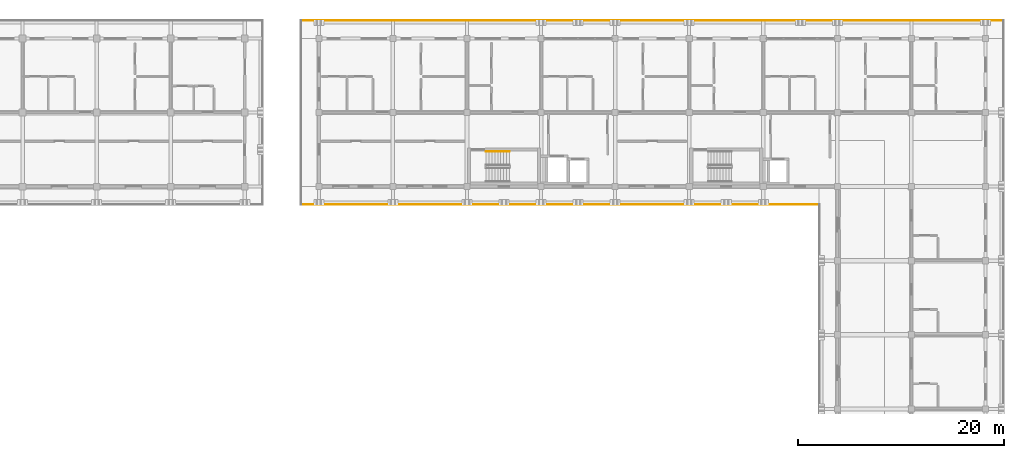
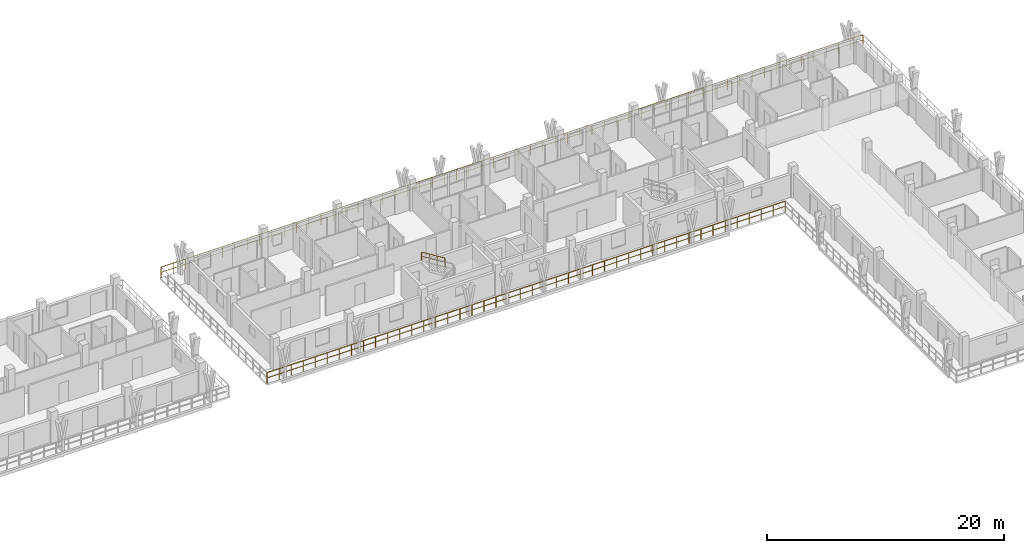
# One storey, part 75 of 76: 3 railings.
"""IFC4 building model written with IfcOpenShell, lengths in metres."""

from ifc_helpers import new_model, si_unit, direction, frame, origin, origin_2d, place, context, subcontext, project, spatial, rectangle, extrude, material, type_object, element, save


model = new_model("IFC4")

# Units and contexts
model_context = context("Model", 3, precision=1e-05, world=origin(), true_north=direction((0.0, 1.0)))
body_context = subcontext(model_context, "Body", "Model", "MODEL_VIEW")
ifc_project = project(units=[si_unit("LENGTHUNIT", "METRE"), si_unit("AREAUNIT", "SQUARE_METRE"), si_unit("VOLUMEUNIT", "CUBIC_METRE"), si_unit("PLANEANGLEUNIT", "RADIAN"), si_unit("MASSUNIT", "GRAM", prefix="KILO")], contexts=[model_context])

# Site, building, storey
site_placement = place(None, origin())
site = spatial("IfcSite", under=ifc_project, at=site_placement, CompositionType="ELEMENT")
building_placement = place(site_placement, origin())
building = spatial("IfcBuilding", under=site, at=building_placement, Name="Suanplinth Sawtooth Commons", CompositionType="ELEMENT")
storey_placement = place(building_placement, frame((0.0, 0.0, 12.199951171875)))
storey = spatial("IfcBuildingStorey", under=building, at=storey_placement, Name="L03", CompositionType="ELEMENT", Elevation=12.199951171875)

# Railings
ifc_material_1 = material(Name="Powder-coated galvanized steel", Category="steel")
railing_type_1 = type_object("IfcRailingType", Name="GR-01", PredefinedType="BALUSTRADE", material=ifc_material_1)
railing_1_placement = place(storey_placement, frame((171.06005859375, 106.260009765625, 0.0)))
element("IfcRailing", 1, at=railing_1_placement, inside=storey, type_object=railing_type_1, Name="L03 Block B Perimeter Balustrade 2", PredefinedType="BALUSTRADE", context=body_context, shape_type="SweptSolid", body=[
    extrude(rectangle(XDim=0.048095703125, YDim=0.048095703125, at=origin_2d()), frame((0.0, 0.0, 1.09619140625), z_axis=(-1.0, 0.0, 0.0), x_axis=(0.0, -1.0, 0.0)), (0.0, 0.0, 1.0), 50.400146484375),
    extrude(rectangle(XDim=0.03369140625, YDim=0.03369140625, at=origin_2d()), frame((0.0, 0.0, 0.56005859375), z_axis=(-1.0, 0.0, 0.0), x_axis=(0.0, -1.0, 0.0)), (0.0, 0.0, 1.0), 50.400146484375),
    extrude(rectangle(XDim=0.0419921875, YDim=0.0419921875, at=origin_2d()), origin(), (0.0, 0.0, 1.0), 1.072021484375),
    extrude(rectangle(XDim=0.0419921875, YDim=0.0419921875, at=origin_2d()), frame((-1.172119140625, 0.0, 0.0)), (0.0, 0.0, 1.0), 1.072021484375),
    extrude(rectangle(XDim=0.0419921875, YDim=0.0419921875, at=origin_2d()), frame((-2.34423828125, 0.0, 0.0)), (0.0, 0.0, 1.0), 1.072021484375),
    extrude(rectangle(XDim=0.0419921875, YDim=0.0419921875, at=origin_2d()), frame((-3.516357421875, 0.0, 0.0)), (0.0, 0.0, 1.0), 1.072021484375),
    extrude(rectangle(XDim=0.0419921875, YDim=0.0419921875, at=origin_2d()), frame((-4.6884765625, 0.0, 0.0)), (0.0, 0.0, 1.0), 1.072021484375),
    extrude(rectangle(XDim=0.0419921875, YDim=0.0419921875, at=origin_2d()), frame((-5.860595703125, 0.0, 0.0)), (0.0, 0.0, 1.0), 1.072021484375),
    extrude(rectangle(XDim=0.0419921875, YDim=0.0419921875, at=origin_2d()), frame((-7.032470703125, 0.0, 0.0)), (0.0, 0.0, 1.0), 1.072021484375),
    extrude(rectangle(XDim=0.0419921875, YDim=0.0419921875, at=origin_2d()), frame((-8.20458984375, 0.0, 0.0)), (0.0, 0.0, 1.0), 1.072021484375),
    extrude(rectangle(XDim=0.0419921875, YDim=0.0419921875, at=origin_2d()), frame((-9.376708984375, 0.0, 0.0)), (0.0, 0.0, 1.0), 1.072021484375),
    extrude(rectangle(XDim=0.0419921875, YDim=0.0419921875, at=origin_2d()), frame((-10.548828125, 0.0, 0.0)), (0.0, 0.0, 1.0), 1.072021484375),
    extrude(rectangle(XDim=0.0419921875, YDim=0.0419921875, at=origin_2d()), frame((-11.720947265625, 0.0, 0.0)), (0.0, 0.0, 1.0), 1.072021484375),
    extrude(rectangle(XDim=0.0419921875, YDim=0.0419921875, at=origin_2d()), frame((-12.89306640625, 0.0, 0.0)), (0.0, 0.0, 1.0), 1.072021484375),
    extrude(rectangle(XDim=0.0419921875, YDim=0.0419921875, at=origin_2d()), frame((-14.065185546875, 0.0, 0.0)), (0.0, 0.0, 1.0), 1.072021484375),
    extrude(rectangle(XDim=0.0419921875, YDim=0.0419921875, at=origin_2d()), frame((-15.2373046875, 0.0, 0.0)), (0.0, 0.0, 1.0), 1.072021484375),
    extrude(rectangle(XDim=0.0419921875, YDim=0.0419921875, at=origin_2d()), frame((-16.409423828125, 0.0, 0.0)), (0.0, 0.0, 1.0), 1.072021484375),
    extrude(rectangle(XDim=0.0419921875, YDim=0.0419921875, at=origin_2d()), frame((-17.58154296875, 0.0, 0.0)), (0.0, 0.0, 1.0), 1.072021484375),
    extrude(rectangle(XDim=0.0419921875, YDim=0.0419921875, at=origin_2d()), frame((-18.753662109375, 0.0, 0.0)), (0.0, 0.0, 1.0), 1.072021484375),
    extrude(rectangle(XDim=0.0419921875, YDim=0.0419921875, at=origin_2d()), frame((-19.925537109375, 0.0, 0.0)), (0.0, 0.0, 1.0), 1.072021484375),
    extrude(rectangle(XDim=0.0419921875, YDim=0.0419921875, at=origin_2d()), frame((-21.09765625, 0.0, 0.0)), (0.0, 0.0, 1.0), 1.072021484375),
    extrude(rectangle(XDim=0.0419921875, YDim=0.0419921875, at=origin_2d()), frame((-22.269775390625, 0.0, 0.0)), (0.0, 0.0, 1.0), 1.072021484375),
    extrude(rectangle(XDim=0.0419921875, YDim=0.0419921875, at=origin_2d()), frame((-23.44189453125, 0.0, 0.0)), (0.0, 0.0, 1.0), 1.072021484375),
    extrude(rectangle(XDim=0.0419921875, YDim=0.0419921875, at=origin_2d()), frame((-24.614013671875, 0.0, 0.0)), (0.0, 0.0, 1.0), 1.072021484375),
    extrude(rectangle(XDim=0.0419921875, YDim=0.0419921875, at=origin_2d()), frame((-25.7861328125, 0.0, 0.0)), (0.0, 0.0, 1.0), 1.072021484375),
    extrude(rectangle(XDim=0.0419921875, YDim=0.0419921875, at=origin_2d()), frame((-26.958251953125, 0.0, 0.0)), (0.0, 0.0, 1.0), 1.072021484375),
    extrude(rectangle(XDim=0.0419921875, YDim=0.0419921875, at=origin_2d()), frame((-28.13037109375, 0.0, 0.0)), (0.0, 0.0, 1.0), 1.072021484375),
    extrude(rectangle(XDim=0.0419921875, YDim=0.0419921875, at=origin_2d()), frame((-29.302490234375, 0.0, 0.0)), (0.0, 0.0, 1.0), 1.072021484375),
    extrude(rectangle(XDim=0.0419921875, YDim=0.0419921875, at=origin_2d()), frame((-30.474609375, 0.0, 0.0)), (0.0, 0.0, 1.0), 1.072021484375),
    extrude(rectangle(XDim=0.0419921875, YDim=0.0419921875, at=origin_2d()), frame((-31.646484375, 0.0, 0.0)), (0.0, 0.0, 1.0), 1.072021484375),
    extrude(rectangle(XDim=0.0419921875, YDim=0.0419921875, at=origin_2d()), frame((-32.818603515625, 0.0, 0.0)), (0.0, 0.0, 1.0), 1.072021484375),
    extrude(rectangle(XDim=0.0419921875, YDim=0.0419921875, at=origin_2d()), frame((-33.99072265625, 0.0, 0.0)), (0.0, 0.0, 1.0), 1.072021484375),
    extrude(rectangle(XDim=0.0419921875, YDim=0.0419921875, at=origin_2d()), frame((-35.162841796875, 0.0, 0.0)), (0.0, 0.0, 1.0), 1.072021484375),
    extrude(rectangle(XDim=0.0419921875, YDim=0.0419921875, at=origin_2d()), frame((-36.3349609375, 0.0, 0.0)), (0.0, 0.0, 1.0), 1.072021484375),
    extrude(rectangle(XDim=0.0419921875, YDim=0.0419921875, at=origin_2d()), frame((-37.507080078125, 0.0, 0.0)), (0.0, 0.0, 1.0), 1.072021484375),
    extrude(rectangle(XDim=0.0419921875, YDim=0.0419921875, at=origin_2d()), frame((-38.67919921875, 0.0, 0.0)), (0.0, 0.0, 1.0), 1.072021484375),
    extrude(rectangle(XDim=0.0419921875, YDim=0.0419921875, at=origin_2d()), frame((-39.851318359375, 0.0, 0.0)), (0.0, 0.0, 1.0), 1.072021484375),
    extrude(rectangle(XDim=0.0419921875, YDim=0.0419921875, at=origin_2d()), frame((-41.0234375, 0.0, 0.0)), (0.0, 0.0, 1.0), 1.072021484375),
    extrude(rectangle(XDim=0.0419921875, YDim=0.0419921875, at=origin_2d()), frame((-42.195556640625, 0.0, 0.0)), (0.0, 0.0, 1.0), 1.072021484375),
    extrude(rectangle(XDim=0.0419921875, YDim=0.0419921875, at=origin_2d()), frame((-43.36767578125, 0.0, 0.0)), (0.0, 0.0, 1.0), 1.072021484375),
    extrude(rectangle(XDim=0.0419921875, YDim=0.0419921875, at=origin_2d()), frame((-44.53955078125, 0.0, 0.0)), (0.0, 0.0, 1.0), 1.072021484375),
    extrude(rectangle(XDim=0.0419921875, YDim=0.0419921875, at=origin_2d()), frame((-45.711669921875, 0.0, 0.0)), (0.0, 0.0, 1.0), 1.072021484375),
    extrude(rectangle(XDim=0.0419921875, YDim=0.0419921875, at=origin_2d()), frame((-46.8837890625, 0.0, 0.0)), (0.0, 0.0, 1.0), 1.072021484375),
    extrude(rectangle(XDim=0.0419921875, YDim=0.0419921875, at=origin_2d()), frame((-48.055908203125, 0.0, 0.0)), (0.0, 0.0, 1.0), 1.072021484375),
    extrude(rectangle(XDim=0.0419921875, YDim=0.0419921875, at=origin_2d()), frame((-49.22802734375, 0.0, 0.0)), (0.0, 0.0, 1.0), 1.072021484375),
    extrude(rectangle(XDim=0.0419921875, YDim=0.0419921875, at=origin_2d()), frame((-50.400146484375, 0.0, 0.0)), (0.0, 0.0, 1.0), 1.072021484375),
])
railing_2_placement = place(storey_placement, frame((120.659912109375, 124.139892578125, 0.0)))
element("IfcRailing", 2, at=railing_2_placement, inside=storey, type_object=railing_type_1, Name="L03 Block B Perimeter Balustrade 4", PredefinedType="BALUSTRADE", context=body_context, shape_type="SweptSolid", body=[
    extrude(rectangle(XDim=0.048095703125, YDim=0.048095703125, at=origin_2d()), frame((0.0, 0.0, 1.09619140625), z_axis=(1.0, 0.0, 0.0), x_axis=(0.0, 1.0, 0.0)), (0.0, 0.0, 1.0), 68.280029296875),
    extrude(rectangle(XDim=0.03369140625, YDim=0.03369140625, at=origin_2d()), frame((0.0, 0.0, 0.56005859375), z_axis=(1.0, 0.0, 0.0), x_axis=(0.0, 1.0, 0.0)), (0.0, 0.0, 1.0), 68.280029296875),
    extrude(rectangle(XDim=0.0419921875, YDim=0.0419921875, at=origin_2d()), origin(), (0.0, 0.0, 1.0), 1.072021484375),
    extrude(rectangle(XDim=0.0419921875, YDim=0.0419921875, at=origin_2d()), frame((1.197998046875, 0.0, 0.0)), (0.0, 0.0, 1.0), 1.072021484375),
    extrude(rectangle(XDim=0.0419921875, YDim=0.0419921875, at=origin_2d()), frame((2.395751953125, 0.0, 0.0)), (0.0, 0.0, 1.0), 1.072021484375),
    extrude(rectangle(XDim=0.0419921875, YDim=0.0419921875, at=origin_2d()), frame((3.59375, 0.0, 0.0)), (0.0, 0.0, 1.0), 1.072021484375),
    extrude(rectangle(XDim=0.0419921875, YDim=0.0419921875, at=origin_2d()), frame((4.79150390625, 0.0, 0.0)), (0.0, 0.0, 1.0), 1.072021484375),
    extrude(rectangle(XDim=0.0419921875, YDim=0.0419921875, at=origin_2d()), frame((5.989501953125, 0.0, 0.0)), (0.0, 0.0, 1.0), 1.072021484375),
    extrude(rectangle(XDim=0.0419921875, YDim=0.0419921875, at=origin_2d()), frame((7.187255859375, 0.0, 0.0)), (0.0, 0.0, 1.0), 1.072021484375),
    extrude(rectangle(XDim=0.0419921875, YDim=0.0419921875, at=origin_2d()), frame((8.38525390625, 0.0, 0.0)), (0.0, 0.0, 1.0), 1.072021484375),
    extrude(rectangle(XDim=0.0419921875, YDim=0.0419921875, at=origin_2d()), frame((9.583251953125, 0.0, 0.0)), (0.0, 0.0, 1.0), 1.072021484375),
    extrude(rectangle(XDim=0.0419921875, YDim=0.0419921875, at=origin_2d()), frame((10.781005859375, 0.0, 0.0)), (0.0, 0.0, 1.0), 1.072021484375),
    extrude(rectangle(XDim=0.0419921875, YDim=0.0419921875, at=origin_2d()), frame((11.97900390625, 0.0, 0.0)), (0.0, 0.0, 1.0), 1.072021484375),
    extrude(rectangle(XDim=0.0419921875, YDim=0.0419921875, at=origin_2d()), frame((13.1767578125, 0.0, 0.0)), (0.0, 0.0, 1.0), 1.072021484375),
    extrude(rectangle(XDim=0.0419921875, YDim=0.0419921875, at=origin_2d()), frame((14.374755859375, 0.0, 0.0)), (0.0, 0.0, 1.0), 1.072021484375),
    extrude(rectangle(XDim=0.0419921875, YDim=0.0419921875, at=origin_2d()), frame((15.57275390625, 0.0, 0.0)), (0.0, 0.0, 1.0), 1.072021484375),
    extrude(rectangle(XDim=0.0419921875, YDim=0.0419921875, at=origin_2d()), frame((16.7705078125, 0.0, 0.0)), (0.0, 0.0, 1.0), 1.072021484375),
    extrude(rectangle(XDim=0.0419921875, YDim=0.0419921875, at=origin_2d()), frame((17.968505859375, 0.0, 0.0)), (0.0, 0.0, 1.0), 1.072021484375),
    extrude(rectangle(XDim=0.0419921875, YDim=0.0419921875, at=origin_2d()), frame((19.166259765625, 0.0, 0.0)), (0.0, 0.0, 1.0), 1.072021484375),
    extrude(rectangle(XDim=0.0419921875, YDim=0.0419921875, at=origin_2d()), frame((20.3642578125, 0.0, 0.0)), (0.0, 0.0, 1.0), 1.072021484375),
    extrude(rectangle(XDim=0.0419921875, YDim=0.0419921875, at=origin_2d()), frame((21.56201171875, 0.0, 0.0)), (0.0, 0.0, 1.0), 1.072021484375),
    extrude(rectangle(XDim=0.0419921875, YDim=0.0419921875, at=origin_2d()), frame((22.760009765625, 0.0, 0.0)), (0.0, 0.0, 1.0), 1.072021484375),
    extrude(rectangle(XDim=0.0419921875, YDim=0.0419921875, at=origin_2d()), frame((23.9580078125, 0.0, 0.0)), (0.0, 0.0, 1.0), 1.072021484375),
    extrude(rectangle(XDim=0.0419921875, YDim=0.0419921875, at=origin_2d()), frame((25.15576171875, 0.0, 0.0)), (0.0, 0.0, 1.0), 1.072021484375),
    extrude(rectangle(XDim=0.0419921875, YDim=0.0419921875, at=origin_2d()), frame((26.353759765625, 0.0, 0.0)), (0.0, 0.0, 1.0), 1.072021484375),
    extrude(rectangle(XDim=0.0419921875, YDim=0.0419921875, at=origin_2d()), frame((27.551513671875, 0.0, 0.0)), (0.0, 0.0, 1.0), 1.072021484375),
    extrude(rectangle(XDim=0.0419921875, YDim=0.0419921875, at=origin_2d()), frame((28.74951171875, 0.0, 0.0)), (0.0, 0.0, 1.0), 1.072021484375),
    extrude(rectangle(XDim=0.0419921875, YDim=0.0419921875, at=origin_2d()), frame((29.947265625, 0.0, 0.0)), (0.0, 0.0, 1.0), 1.072021484375),
    extrude(rectangle(XDim=0.0419921875, YDim=0.0419921875, at=origin_2d()), frame((31.145263671875, 0.0, 0.0)), (0.0, 0.0, 1.0), 1.072021484375),
    extrude(rectangle(XDim=0.0419921875, YDim=0.0419921875, at=origin_2d()), frame((32.34326171875, 0.0, 0.0)), (0.0, 0.0, 1.0), 1.072021484375),
    extrude(rectangle(XDim=0.0419921875, YDim=0.0419921875, at=origin_2d()), frame((33.541015625, 0.0, 0.0)), (0.0, 0.0, 1.0), 1.072021484375),
    extrude(rectangle(XDim=0.0419921875, YDim=0.0419921875, at=origin_2d()), frame((34.739013671875, 0.0, 0.0)), (0.0, 0.0, 1.0), 1.072021484375),
    extrude(rectangle(XDim=0.0419921875, YDim=0.0419921875, at=origin_2d()), frame((35.936767578125, 0.0, 0.0)), (0.0, 0.0, 1.0), 1.072021484375),
    extrude(rectangle(XDim=0.0419921875, YDim=0.0419921875, at=origin_2d()), frame((37.134765625, 0.0, 0.0)), (0.0, 0.0, 1.0), 1.072021484375),
    extrude(rectangle(XDim=0.0419921875, YDim=0.0419921875, at=origin_2d()), frame((38.332763671875, 0.0, 0.0)), (0.0, 0.0, 1.0), 1.072021484375),
    extrude(rectangle(XDim=0.0419921875, YDim=0.0419921875, at=origin_2d()), frame((39.530517578125, 0.0, 0.0)), (0.0, 0.0, 1.0), 1.072021484375),
    extrude(rectangle(XDim=0.0419921875, YDim=0.0419921875, at=origin_2d()), frame((40.728515625, 0.0, 0.0)), (0.0, 0.0, 1.0), 1.072021484375),
    extrude(rectangle(XDim=0.0419921875, YDim=0.0419921875, at=origin_2d()), frame((41.92626953125, 0.0, 0.0)), (0.0, 0.0, 1.0), 1.072021484375),
    extrude(rectangle(XDim=0.0419921875, YDim=0.0419921875, at=origin_2d()), frame((43.124267578125, 0.0, 0.0)), (0.0, 0.0, 1.0), 1.072021484375),
    extrude(rectangle(XDim=0.0419921875, YDim=0.0419921875, at=origin_2d()), frame((44.322021484375, 0.0, 0.0)), (0.0, 0.0, 1.0), 1.072021484375),
    extrude(rectangle(XDim=0.0419921875, YDim=0.0419921875, at=origin_2d()), frame((45.52001953125, 0.0, 0.0)), (0.0, 0.0, 1.0), 1.072021484375),
    extrude(rectangle(XDim=0.0419921875, YDim=0.0419921875, at=origin_2d()), frame((46.718017578125, 0.0, 0.0)), (0.0, 0.0, 1.0), 1.072021484375),
    extrude(rectangle(XDim=0.0419921875, YDim=0.0419921875, at=origin_2d()), frame((47.915771484375, 0.0, 0.0)), (0.0, 0.0, 1.0), 1.072021484375),
    extrude(rectangle(XDim=0.0419921875, YDim=0.0419921875, at=origin_2d()), frame((49.11376953125, 0.0, 0.0)), (0.0, 0.0, 1.0), 1.072021484375),
    extrude(rectangle(XDim=0.0419921875, YDim=0.0419921875, at=origin_2d()), frame((50.3115234375, 0.0, 0.0)), (0.0, 0.0, 1.0), 1.072021484375),
    extrude(rectangle(XDim=0.0419921875, YDim=0.0419921875, at=origin_2d()), frame((51.509521484375, 0.0, 0.0)), (0.0, 0.0, 1.0), 1.072021484375),
    extrude(rectangle(XDim=0.0419921875, YDim=0.0419921875, at=origin_2d()), frame((52.707275390625, 0.0, 0.0)), (0.0, 0.0, 1.0), 1.072021484375),
    extrude(rectangle(XDim=0.0419921875, YDim=0.0419921875, at=origin_2d()), frame((53.9052734375, 0.0, 0.0)), (0.0, 0.0, 1.0), 1.072021484375),
    extrude(rectangle(XDim=0.0419921875, YDim=0.0419921875, at=origin_2d()), frame((55.103271484375, 0.0, 0.0)), (0.0, 0.0, 1.0), 1.072021484375),
    extrude(rectangle(XDim=0.0419921875, YDim=0.0419921875, at=origin_2d()), frame((56.301025390625, 0.0, 0.0)), (0.0, 0.0, 1.0), 1.072021484375),
    extrude(rectangle(XDim=0.0419921875, YDim=0.0419921875, at=origin_2d()), frame((57.4990234375, 0.0, 0.0)), (0.0, 0.0, 1.0), 1.072021484375),
    extrude(rectangle(XDim=0.0419921875, YDim=0.0419921875, at=origin_2d()), frame((58.69677734375, 0.0, 0.0)), (0.0, 0.0, 1.0), 1.072021484375),
    extrude(rectangle(XDim=0.0419921875, YDim=0.0419921875, at=origin_2d()), frame((59.894775390625, 0.0, 0.0)), (0.0, 0.0, 1.0), 1.072021484375),
    extrude(rectangle(XDim=0.0419921875, YDim=0.0419921875, at=origin_2d()), frame((61.0927734375, 0.0, 0.0)), (0.0, 0.0, 1.0), 1.072021484375),
    extrude(rectangle(XDim=0.0419921875, YDim=0.0419921875, at=origin_2d()), frame((62.29052734375, 0.0, 0.0)), (0.0, 0.0, 1.0), 1.072021484375),
    extrude(rectangle(XDim=0.0419921875, YDim=0.0419921875, at=origin_2d()), frame((63.488525390625, 0.0, 0.0)), (0.0, 0.0, 1.0), 1.072021484375),
    extrude(rectangle(XDim=0.0419921875, YDim=0.0419921875, at=origin_2d()), frame((64.686279296875, 0.0, 0.0)), (0.0, 0.0, 1.0), 1.072021484375),
    extrude(rectangle(XDim=0.0419921875, YDim=0.0419921875, at=origin_2d()), frame((65.88427734375, 0.0, 0.0)), (0.0, 0.0, 1.0), 1.072021484375),
    extrude(rectangle(XDim=0.0419921875, YDim=0.0419921875, at=origin_2d()), frame((67.08203125, 0.0, 0.0)), (0.0, 0.0, 1.0), 1.072021484375),
    extrude(rectangle(XDim=0.0419921875, YDim=0.0419921875, at=origin_2d()), frame((68.280029296875, 0.0, 0.0)), (0.0, 0.0, 1.0), 1.072021484375),
])
ifc_material_2 = material(Name="Stainless steel Grade 304", Category="steel")
railing_type_2 = type_object("IfcRailingType", Name="HR-01", PredefinedType="HANDRAIL", material=ifc_material_2)
railing_3_placement = place(storey_placement, frame((140.929931640625, 111.39990234375, 1.77783203125)))
element("IfcRailing", 3, at=railing_3_placement, inside=storey, type_object=railing_type_2, Name="L03 ST-E1 Handrail 2", PredefinedType="HANDRAIL", context=body_context, shape_type="SweptSolid", body=[
    extrude(rectangle(XDim=0.048095703125, YDim=0.048095703125, at=origin_2d()), frame((0.0, 0.0, 0.8759765625), z_axis=(-0.848482842525, 0.0, 0.529222888715), x_axis=(0.0, -1.0, 0.0)), (0.0, 0.0, 1.0), 2.687255859375),
    extrude(rectangle(XDim=0.03369140625, YDim=0.03369140625, at=origin_2d()), frame((0.0, 0.0, 0.449951171875), z_axis=(-0.848482842525, 0.0, 0.529222888715), x_axis=(0.0, -1.0, 0.0)), (0.0, 0.0, 1.0), 2.687255859375),
    extrude(rectangle(XDim=0.0419921875, YDim=0.0419921875, at=origin_2d()), origin(), (0.0, 0.0, 1.0), 0.851806640625),
    extrude(rectangle(XDim=0.0419921875, YDim=0.0419921875, at=origin_2d()), frame((-0.760009765625, 0.0, 0.47412109375)), (0.0, 0.0, 1.0), 0.851806640625),
    extrude(rectangle(XDim=0.0419921875, YDim=0.0419921875, at=origin_2d()), frame((-1.52001953125, 0.0, 0.947998046875)), (0.0, 0.0, 1.0), 0.851806640625),
    extrude(rectangle(XDim=0.0419921875, YDim=0.0419921875, at=origin_2d()), frame((-2.280029296875, 0.0, 1.422119140625)), (0.0, 0.0, 1.0), 0.851806640625),
])

save(model, "model.ifc")
